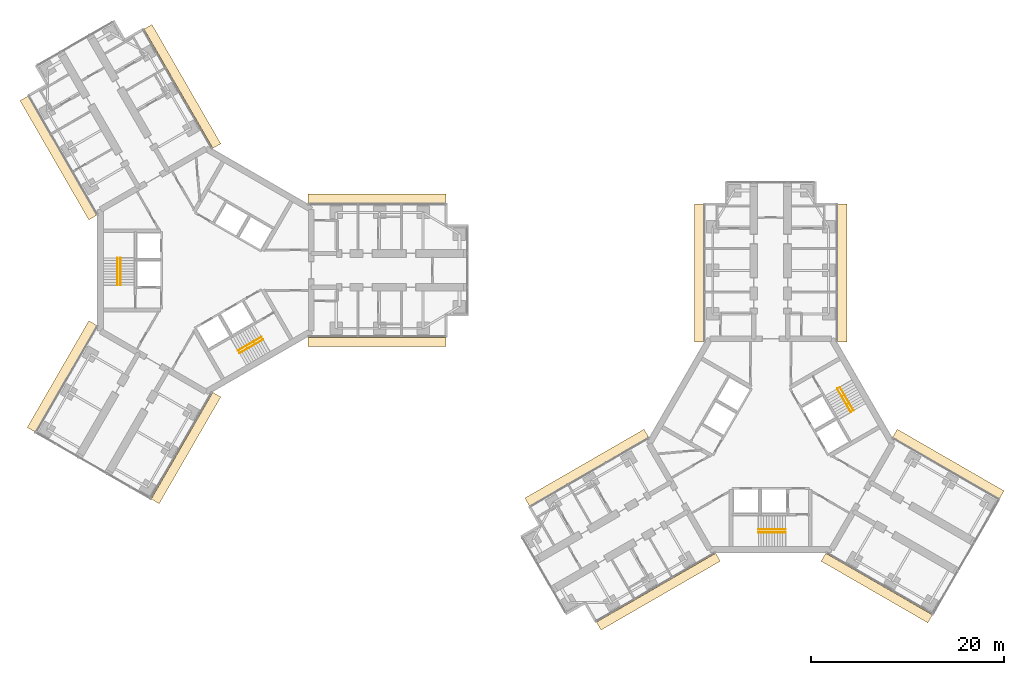
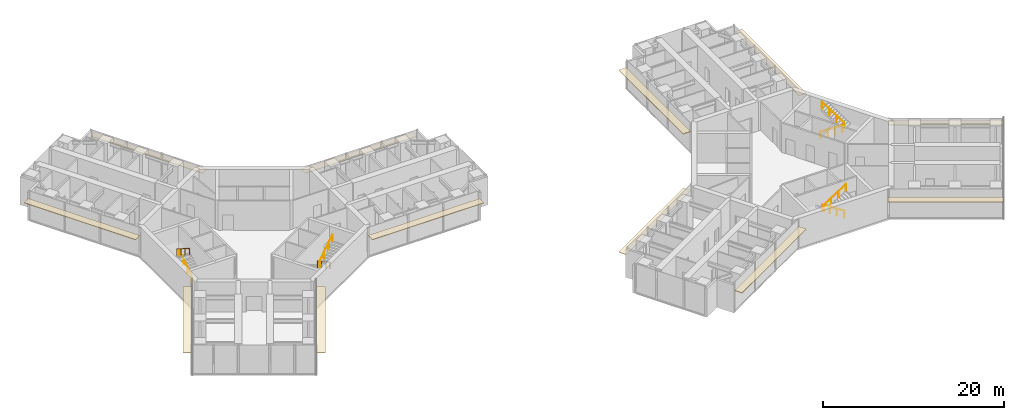
# One storey, part 22 of 22: 12 coverings, 8 railings.
"""IFC4 building model written with IfcOpenShell, lengths in metres."""

from ifc_helpers import new_model, si_unit, direction, frame, origin, origin_2d, place, context, subcontext, project, spatial, rectangle, circle, extrude, material, layer, layer_set, type_object, element, save


model = new_model("IFC4")

# Units and contexts
model_context = context("Model", 3, precision=1e-05, world=origin(), true_north=direction((0.0, 1.0)))
body_context = subcontext(model_context, "Body", "Model", "MODEL_VIEW")
ifc_project = project(units=[si_unit("LENGTHUNIT", "METRE"), si_unit("AREAUNIT", "SQUARE_METRE"), si_unit("VOLUMEUNIT", "CUBIC_METRE"), si_unit("PLANEANGLEUNIT", "RADIAN"), si_unit("MASSUNIT", "GRAM", prefix="KILO")], contexts=[model_context])

# Site, building, storey
site_placement = place(None, origin())
site = spatial("IfcSite", under=ifc_project, at=site_placement, CompositionType="ELEMENT")
building_placement = place(site_placement, origin())
building = spatial("IfcBuilding", under=site, at=building_placement, Name="Upepo Twin Towers", CompositionType="ELEMENT")
storey_placement = place(building_placement, frame((0.0, 0.0, 137.5)))
storey = spatial("IfcBuildingStorey", under=building, at=storey_placement, Name="L33", CompositionType="ELEMENT", Elevation=137.5)

# Coverings
ifc_material_1 = material(Name="Anodised aluminium, pale silver", Category="aluminium")
ifc_layer = layer(ifc_material_1, 0.080078125)
ifc_layer_set = layer_set([ifc_layer], Name="Brise-soleil blade 950 pale aluminium")
covering_type = type_object("IfcCoveringType", Name="Brise-soleil blade 950 pale aluminium", PredefinedType="USERDEFINED", material=ifc_layer_set)
for number, where, z_axis, x_axis, name in (
    (1, (17.718505859375, 7.4150390625, 2.909912109375), (0.0, 0.0, 1.0), (1.0, 0.0, 0.0), "T1 L33 wing A brise-soleil L"),
    (2, (17.718505859375, -7.4150390625, 2.909912109375), (0.0, 0.0, 1.0), (1.0, 0.0, 0.0), "T1 L33 wing A brise-soleil R"),
    (3, (-15.28076171875, 11.63720703125, 2.909912109375), (0.0, 0.0, 1.0), (-0.499999954655, 0.866025429964, 0.0), "T1 L33 wing B brise-soleil L"),
    (4, (-2.437744140625, 19.05224609375, 2.909912109375), (0.0, 0.0, 1.0), (-0.500000015115, 0.866025395058, 0.0), "T1 L33 wing B brise-soleil R"),
):
    element("IfcCovering", number, at=place(storey_placement, frame(where, z_axis=z_axis, x_axis=x_axis)), inside=storey, type_object=covering_type, Name=name, ObjectType="SUNSHADE", PredefinedType="USERDEFINED", context=body_context, shape_type="SweptSolid", body=[
        extrude(rectangle(XDim=14.262939453125, YDim=0.949951171875, at=origin_2d()), origin(), (0.0, 0.0, 1.0), 0.080078125),
    ])
for number, where, z_axis, x_axis, name in (
    (5, (-2.062744140625, -18.402587890625, 2.909912109375), (0.0, 0.0, 1.0), (-0.500000015115, -0.866025395058, 0.0), "T1 L33 wing C brise-soleil L"),
    (6, (-14.90576171875, -10.98779296875, 2.909912109375), (0.0, 0.0, 1.0), (-0.499999954655, -0.866025429964, 0.0), "T1 L33 wing C brise-soleil R"),
):
    element("IfcCovering", number, at=place(storey_placement, frame(where, z_axis=z_axis, x_axis=x_axis)), inside=storey, type_object=covering_type, Name=name, ObjectType="SUNSHADE", PredefinedType="USERDEFINED", context=body_context, shape_type="SweptSolid", body=[
        extrude(rectangle(XDim=12.762939453125, YDim=0.949951171875, at=origin_2d()), origin(), (0.0, 0.0, 1.0), 0.080078125),
    ])
for number, where, z_axis, x_axis, name in (
    (7, (51.0849609375, -0.281494140625, 2.909912109375), (0.0, 0.0, 1.0), (0.0, 1.0, 0.0), "T2 L33 wing A brise-soleil L"),
    (8, (65.9150390625, -0.281494140625, 2.909912109375), (0.0, 0.0, 1.0), (0.0, 1.0, 0.0), "T2 L33 wing A brise-soleil R"),
    (9, (46.86279296875, -33.28076171875, 2.909912109375), (0.0, 0.0, 1.0), (-0.866025429964, -0.499999954655, 0.0), "T2 L33 wing B brise-soleil L"),
    (10, (39.44775390625, -20.437744140625, 2.909912109375), (0.0, 0.0, 1.0), (-0.866025395058, -0.500000015115, 0.0), "T2 L33 wing B brise-soleil R"),
):
    element("IfcCovering", number, at=place(storey_placement, frame(where, z_axis=z_axis, x_axis=x_axis)), inside=storey, type_object=covering_type, Name=name, ObjectType="SUNSHADE", PredefinedType="USERDEFINED", context=body_context, shape_type="SweptSolid", body=[
        extrude(rectangle(XDim=14.262939453125, YDim=0.949951171875, at=origin_2d()), origin(), (0.0, 0.0, 1.0), 0.080078125),
    ])
for number, where, z_axis, x_axis, name in (
    (11, (76.902587890625, -20.062744140625, 2.909912109375), (0.0, 0.0, 1.0), (0.866025395058, -0.500000015115, 0.0), "T2 L33 wing C brise-soleil L"),
    (12, (69.48779296875, -32.90576171875, 2.909912109375), (0.0, 0.0, 1.0), (0.866025429964, -0.499999954655, 0.0), "T2 L33 wing C brise-soleil R"),
):
    element("IfcCovering", number, at=place(storey_placement, frame(where, z_axis=z_axis, x_axis=x_axis)), inside=storey, type_object=covering_type, Name=name, ObjectType="SUNSHADE", PredefinedType="USERDEFINED", context=body_context, shape_type="SweptSolid", body=[
        extrude(rectangle(XDim=12.762939453125, YDim=0.949951171875, at=origin_2d()), origin(), (0.0, 0.0, 1.0), 0.080078125),
    ])

# Railings
ifc_material_2 = material(Name="Stainless steel", Category="steel")
railing_type = type_object("IfcRailingType", Name="Stair handrail 900", PredefinedType="HANDRAIL", material=ifc_material_2)
railing_1_placement = place(storey_placement, frame((-8.85009765625, -1.52001953125, 0.181884765625)))
element("IfcRailing", 13, at=railing_1_placement, inside=storey, type_object=railing_type, Name="T1 stair S1 L33 handrail 1", PredefinedType="HANDRAIL", context=body_context, shape_type="SweptSolid", body=[
    extrude(circle(Radius=0.02392578125, at=origin_2d()), frame((0.0, 0.0, 0.8759765625), z_axis=(0.0, 0.838705829183, 0.544584733623), x_axis=(-1.0, 0.0, 0.0)), (0.0, 0.0, 1.0), 3.338623046875),
    extrude(circle(Radius=0.02099609375, at=origin_2d()), origin(), (0.0, 0.0, 1.0), 0.851806640625),
    extrude(circle(Radius=0.02099609375, at=origin_2d()), frame((0.0, 0.933349609375, 0.60595703125)), (0.0, 0.0, 1.0), 0.851806640625),
    extrude(circle(Radius=0.02099609375, at=origin_2d()), frame((0.0, 1.86669921875, 1.212158203125)), (0.0, 0.0, 1.0), 0.851806640625),
    extrude(circle(Radius=0.02099609375, at=origin_2d()), frame((0.0, 2.800048828125, 1.818115234375)), (0.0, 0.0, 1.0), 0.851806640625),
])
railing_2_placement = place(storey_placement, frame((-9.158447265625, 1.280029296875, 2.181884765625)))
element("IfcRailing", 14, at=railing_2_placement, inside=storey, type_object=railing_type, Name="T1 stair S1 L33 handrail 2", PredefinedType="HANDRAIL", context=body_context, shape_type="SweptSolid", body=[
    extrude(circle(Radius=0.02392578125, at=origin_2d()), frame((0.0, 0.0, 0.8759765625), z_axis=(0.0, -0.838705829183, 0.544584733623), x_axis=(1.0, 0.0, 0.0)), (0.0, 0.0, 1.0), 3.338623046875),
    extrude(circle(Radius=0.02099609375, at=origin_2d()), origin(), (0.0, 0.0, 1.0), 0.851806640625),
    extrude(circle(Radius=0.02099609375, at=origin_2d()), frame((0.0, -0.933349609375, 0.60595703125)), (0.0, 0.0, 1.0), 0.851806640625),
    extrude(circle(Radius=0.02099609375, at=origin_2d()), frame((0.0, -1.86669921875, 1.212158203125)), (0.0, 0.0, 1.0), 0.851806640625),
    extrude(circle(Radius=0.02099609375, at=origin_2d()), frame((0.0, -2.800048828125, 1.818115234375)), (0.0, 0.0, 1.0), 0.851806640625),
])
railing_3_placement = place(storey_placement, frame((5.741455078125, -6.904296875, 0.181884765625)))
element("IfcRailing", 15, at=railing_3_placement, inside=storey, type_object=railing_type, Name="T1 stair S2 L33 handrail 1", PredefinedType="HANDRAIL", context=body_context, shape_type="SweptSolid", body=[
    extrude(circle(Radius=0.02392578125, at=origin_2d()), frame((0.0, 0.0, 0.8759765625), z_axis=(-0.726348578268, -0.419370693282, 0.544560340518), x_axis=(0.500011755427, -0.866018616679, 0.0)), (0.0, 0.0, 1.0), 3.338623046875),
    extrude(circle(Radius=0.02099609375, at=origin_2d()), origin(), (0.0, 0.0, 1.0), 0.851806640625),
    extrude(circle(Radius=0.02099609375, at=origin_2d()), frame((-0.808349609375, -0.466796875, 0.60595703125)), (0.0, 0.0, 1.0), 0.851806640625),
    extrude(circle(Radius=0.02099609375, at=origin_2d()), frame((-1.61669921875, -0.933349609375, 1.212158203125)), (0.0, 0.0, 1.0), 0.851806640625),
    extrude(circle(Radius=0.02099609375, at=origin_2d()), frame((-2.425048828125, -1.400146484375, 1.818115234375)), (0.0, 0.0, 1.0), 0.851806640625),
])
railing_4_placement = place(storey_placement, frame((3.470703125, -8.5712890625, 2.181884765625)))
element("IfcRailing", 16, at=railing_4_placement, inside=storey, type_object=railing_type, Name="T1 stair S2 L33 handrail 2", PredefinedType="HANDRAIL", context=body_context, shape_type="SweptSolid", body=[
    extrude(circle(Radius=0.02392578125, at=origin_2d()), frame((0.0, 0.0, 0.8759765625), z_axis=(0.726336304947, 0.419332699614, 0.544605966869), x_axis=(-0.49998411664, 0.866034573852, 0.0)), (0.0, 0.0, 1.0), 3.33837890625),
    extrude(circle(Radius=0.02099609375, at=origin_2d()), origin(), (0.0, 0.0, 1.0), 0.851806640625),
    extrude(circle(Radius=0.02099609375, at=origin_2d()), frame((0.808349609375, 0.466552734375, 0.60595703125)), (0.0, 0.0, 1.0), 0.851806640625),
    extrude(circle(Radius=0.02099609375, at=origin_2d()), frame((1.616455078125, 0.933349609375, 1.212158203125)), (0.0, 0.0, 1.0), 0.851806640625),
    extrude(circle(Radius=0.02099609375, at=origin_2d()), frame((2.4248046875, 1.39990234375, 1.818115234375)), (0.0, 0.0, 1.0), 0.851806640625),
])
railing_5_placement = place(storey_placement, frame((60.02001953125, -26.85009765625, 0.181884765625)))
element("IfcRailing", 17, at=railing_5_placement, inside=storey, type_object=railing_type, Name="T2 stair S1 L33 handrail 1", PredefinedType="HANDRAIL", context=body_context, shape_type="SweptSolid", body=[
    extrude(circle(Radius=0.02392578125, at=origin_2d()), frame((0.0, 0.0, 0.8759765625), z_axis=(-0.838705829183, 0.0, 0.544584733623), x_axis=(0.0, -1.0, 0.0)), (0.0, 0.0, 1.0), 3.338623046875),
    extrude(circle(Radius=0.02099609375, at=origin_2d()), origin(), (0.0, 0.0, 1.0), 0.851806640625),
    extrude(circle(Radius=0.02099609375, at=origin_2d()), frame((-0.933349609375, 0.0, 0.60595703125)), (0.0, 0.0, 1.0), 0.851806640625),
    extrude(circle(Radius=0.02099609375, at=origin_2d()), frame((-1.86669921875, 0.0, 1.212158203125)), (0.0, 0.0, 1.0), 0.851806640625),
    extrude(circle(Radius=0.02099609375, at=origin_2d()), frame((-2.800048828125, 0.0, 1.818115234375)), (0.0, 0.0, 1.0), 0.851806640625),
])
railing_6_placement = place(storey_placement, frame((57.219970703125, -27.158447265625, 2.181884765625)))
element("IfcRailing", 18, at=railing_6_placement, inside=storey, type_object=railing_type, Name="T2 stair S1 L33 handrail 2", PredefinedType="HANDRAIL", context=body_context, shape_type="SweptSolid", body=[
    extrude(circle(Radius=0.02392578125, at=origin_2d()), frame((0.0, 0.0, 0.8759765625), z_axis=(0.838705829183, 0.0, 0.544584733623), x_axis=(0.0, 1.0, 0.0)), (0.0, 0.0, 1.0), 3.338623046875),
    extrude(circle(Radius=0.02099609375, at=origin_2d()), origin(), (0.0, 0.0, 1.0), 0.851806640625),
    extrude(circle(Radius=0.02099609375, at=origin_2d()), frame((0.933349609375, 0.0, 0.60595703125)), (0.0, 0.0, 1.0), 0.851806640625),
    extrude(circle(Radius=0.02099609375, at=origin_2d()), frame((1.86669921875, 0.0, 1.212158203125)), (0.0, 0.0, 1.0), 0.851806640625),
    extrude(circle(Radius=0.02099609375, at=origin_2d()), frame((2.800048828125, 0.0, 1.818115234375)), (0.0, 0.0, 1.0), 0.851806640625),
])
railing_7_placement = place(storey_placement, frame((65.404296875, -12.258544921875, 0.181884765625)))
element("IfcRailing", 19, at=railing_7_placement, inside=storey, type_object=railing_type, Name="T2 stair S2 L33 handrail 1", PredefinedType="HANDRAIL", context=body_context, shape_type="SweptSolid", body=[
    extrude(circle(Radius=0.02392578125, at=origin_2d()), frame((0.0, 0.0, 0.8759765625), z_axis=(0.419370693282, -0.726348578268, 0.544560340518), x_axis=(0.866018616679, 0.500011755427, 0.0)), (0.0, 0.0, 1.0), 3.338623046875),
    extrude(circle(Radius=0.02099609375, at=origin_2d()), origin(), (0.0, 0.0, 1.0), 0.851806640625),
    extrude(circle(Radius=0.02099609375, at=origin_2d()), frame((0.466796875, -0.808349609375, 0.60595703125)), (0.0, 0.0, 1.0), 0.851806640625),
    extrude(circle(Radius=0.02099609375, at=origin_2d()), frame((0.933349609375, -1.61669921875, 1.212158203125)), (0.0, 0.0, 1.0), 0.851806640625),
    extrude(circle(Radius=0.02099609375, at=origin_2d()), frame((1.400146484375, -2.425048828125, 1.818115234375)), (0.0, 0.0, 1.0), 0.851806640625),
])
railing_8_placement = place(storey_placement, frame((67.0712890625, -14.529296875, 2.181884765625)))
element("IfcRailing", 20, at=railing_8_placement, inside=storey, type_object=railing_type, Name="T2 stair S2 L33 handrail 2", PredefinedType="HANDRAIL", context=body_context, shape_type="SweptSolid", body=[
    extrude(circle(Radius=0.02392578125, at=origin_2d()), frame((0.0, 0.0, 0.8759765625), z_axis=(-0.419332699614, 0.726336304947, 0.544605966869), x_axis=(-0.866034573852, -0.49998411664, 0.0)), (0.0, 0.0, 1.0), 3.33837890625),
    extrude(circle(Radius=0.02099609375, at=origin_2d()), origin(), (0.0, 0.0, 1.0), 0.851806640625),
    extrude(circle(Radius=0.02099609375, at=origin_2d()), frame((-0.466552734375, 0.808349609375, 0.60595703125)), (0.0, 0.0, 1.0), 0.851806640625),
    extrude(circle(Radius=0.02099609375, at=origin_2d()), frame((-0.933349609375, 1.616455078125, 1.212158203125)), (0.0, 0.0, 1.0), 0.851806640625),
    extrude(circle(Radius=0.02099609375, at=origin_2d()), frame((-1.39990234375, 2.4248046875, 1.818115234375)), (0.0, 0.0, 1.0), 0.851806640625),
])

save(model, "model.ifc")
